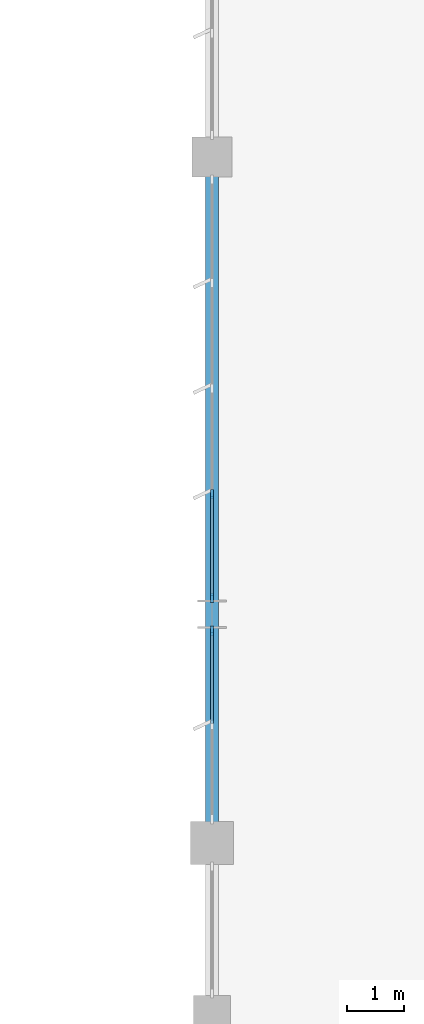
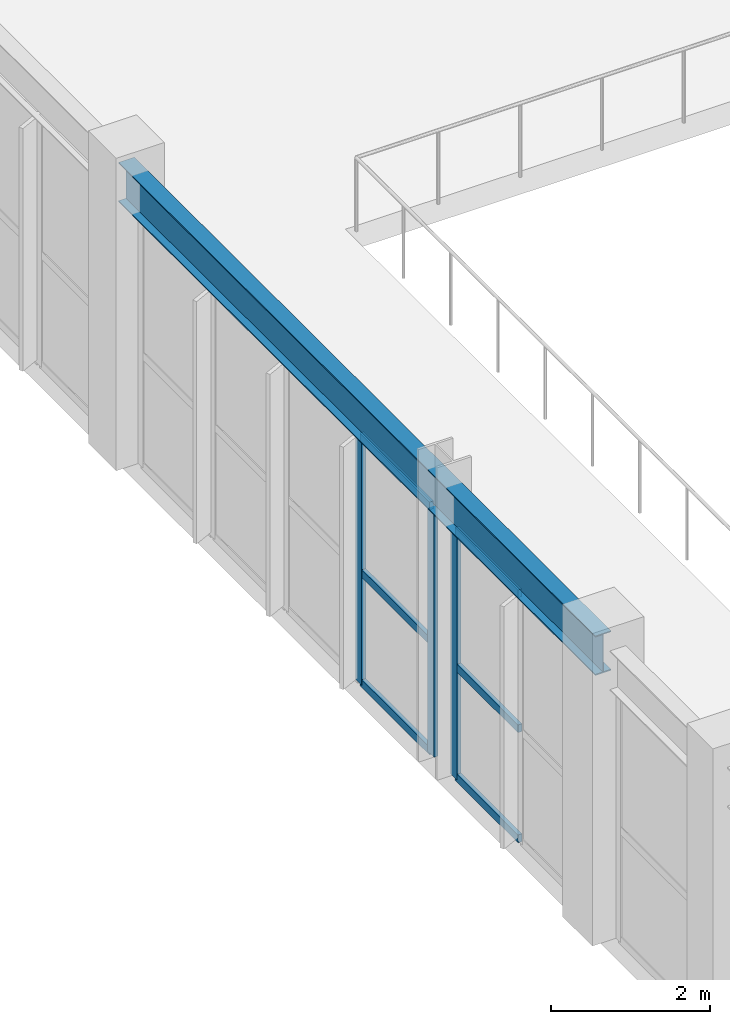
# One storey, part 86 of 226: 9 members, 1 beam, 2 elements without a shape of their own.
"""IFC4 building model written with IfcOpenShell, lengths in metres."""

from ifc_helpers import new_model, si_unit, direction, frame, origin, origin_2d, place, context, subcontext, project, spatial, rectangle, i_section, extrude, material, layer, layer_set, material_profile, profile_set, type_object, element, aggregate, save


model = new_model("IFC4")

# Units and contexts
model_context = context("Model", 3, precision=1e-05, world=origin(), true_north=direction((0.0, 1.0)))
body_context = subcontext(model_context, "Body", "Model", "MODEL_VIEW")
ifc_project = project(units=[si_unit("LENGTHUNIT", "METRE"), si_unit("AREAUNIT", "SQUARE_METRE"), si_unit("VOLUMEUNIT", "CUBIC_METRE"), si_unit("PLANEANGLEUNIT", "RADIAN"), si_unit("MASSUNIT", "GRAM", prefix="KILO")], contexts=[model_context])

# Site, building, storey
site_placement = place(None, origin())
site = spatial("IfcSite", under=ifc_project, at=site_placement, CompositionType="ELEMENT")
building_placement = place(site_placement, origin())
building = spatial("IfcBuilding", under=site, at=building_placement, Name="Tarnwether General Hospital", CompositionType="ELEMENT")
storey_placement = place(building_placement, frame((0.0, 0.0, 4.800048828125)))
storey = spatial("IfcBuildingStorey", under=building, at=storey_placement, Name="L01", CompositionType="ELEMENT", Elevation=4.800048828125)

# Beam
ifc_material_1 = material(Name="Steel Grade 350 (350 MPa)", Category="steel")
ifc_material_profile_1 = material_profile(ifc_material_1, i_section(OverallWidth=0.22802734375, OverallDepth=0.60693359375, WebThickness=0.01123046875, FlangeThickness=0.017333984375, at=origin_2d()), Name="610UB113")
ifc_profile_set_1 = profile_set([ifc_material_profile_1], Name="Steel Grade 350 (350 MPa)")
beam_type = type_object("IfcBeamType", Name="BM-G04", PredefinedType="BEAM", material=ifc_profile_set_1)
beam_placement = place(storey_placement, frame((108.0, 57.60009765625, 4.141357421875), z_axis=(0.0, 1.0, 0.0), x_axis=(-1.0, 0.0, 0.0)))
element("IfcBeam", 1, at=beam_placement, inside=storey, type_object=beam_type, Name="Primary Girder BMG-L01-10800_5760-10800_6960-1177", PredefinedType="BEAM", context=body_context, shape_type="SweptSolid", body=[
    extrude(i_section(OverallWidth=0.22802734375, OverallDepth=0.60693359375, WebThickness=0.01123046875, FlangeThickness=0.017333984375, at=origin_2d()), origin(), (0.0, 0.0, 1.0), 12.0),
])

# Curtain wall, member
ifc_material_2 = material(Name="Anodised aluminium", Category="aluminium")
ifc_layer = layer(ifc_material_2, 0.179931640625)
ifc_layer_set = layer_set([ifc_layer], Name="Anodised aluminium")
curtain_wall_type = type_object("IfcCurtainWallType", Name="CW-07", PredefinedType="NOTDEFINED", material=ifc_layer_set)
curtain_wall_1_placement = place(storey_placement, origin())
curtain_wall_1 = element("IfcCurtainWall", 2, at=curtain_wall_1_placement, inside=storey, type_object=curtain_wall_type, Name="Curtain Wall CWG-L01-1080_580-0357", PredefinedType="NOTDEFINED")
ifc_material_3 = material(Name="Anodised aluminium", Category="aluminium")
ifc_material_profile_2 = material_profile(ifc_material_3, rectangle(XDim=0.06005859375, YDim=0.159912109375, at=origin_2d()), Name="ALU-MUL-60x160")
ifc_profile_set_2 = profile_set([ifc_material_profile_2], Name="Anodised aluminium")
member_type_1 = type_object("IfcMemberType", Name="CW-ML1", PredefinedType="MULLION", material=ifc_profile_set_2)
member_1_placement = place(storey_placement, frame((108.0, 61.31201171875, 0.0), z_axis=(0.0, 0.0, 1.0), x_axis=(-1.0, 0.0, 0.0)))
member_1 = element("IfcMember", 3, at=member_1_placement, type_object=member_type_1, Name="CW-07 mullion 3", PredefinedType="MULLION", context=body_context, shape_type="SweptSolid", body=[
    extrude(rectangle(XDim=0.06005859375, YDim=0.159912109375, at=origin_2d()), origin(), (0.0, 0.0, 1.0), 3.822998046875),
])

# Curtain wall, members
curtain_wall_2_placement = place(storey_placement, origin())
curtain_wall_2 = element("IfcCurtainWall", 4, at=curtain_wall_2_placement, inside=storey, type_object=curtain_wall_type, Name="Curtain Wall CWG-L01-1080_619-0358", PredefinedType="NOTDEFINED")
member_2_placement = place(storey_placement, frame((108.0, 61.887939453125, 0.0), z_axis=(0.0, 0.0, 1.0), x_axis=(-1.0, 0.0, 0.0)))
member_2 = element("IfcMember", 5, at=member_2_placement, type_object=member_type_1, Name="CW-07 mullion 1", PredefinedType="MULLION", context=body_context, shape_type="SweptSolid", body=[
    extrude(rectangle(XDim=0.06005859375, YDim=0.159912109375, at=origin_2d()), origin(), (0.0, 0.0, 1.0), 3.822998046875),
])
member_3_placement = place(storey_placement, frame((108.0, 63.7041015625, 0.0), z_axis=(0.0, 0.0, 1.0), x_axis=(-1.0, 0.0, 0.0)))
member_3 = element("IfcMember", 6, at=member_3_placement, type_object=member_type_1, Name="CW-07 mullion 2", PredefinedType="MULLION", context=body_context, shape_type="SweptSolid", body=[
    extrude(rectangle(XDim=0.06005859375, YDim=0.159912109375, at=origin_2d()), origin(), (0.0, 0.0, 1.0), 3.822998046875),
])

# Member
ifc_material_4 = material(Name="Anodised aluminium", Category="aluminium")
ifc_material_profile_3 = material_profile(ifc_material_4, rectangle(XDim=0.06005859375, YDim=0.1201171875, at=origin_2d()), Name="ALU-TRN-60x120")
ifc_profile_set_3 = profile_set([ifc_material_profile_3], Name="Anodised aluminium")
member_type_2 = type_object("IfcMemberType", Name="CW-TR1", PredefinedType="USERDEFINED", material=ifc_profile_set_3)
member_4_placement = place(storey_placement, frame((108.0, 59.6923828125, 0.030029296875), z_axis=(0.0, 1.0, 0.0), x_axis=(-1.0, 0.0, 0.0)))
member_4 = element("IfcMember", 7, at=member_4_placement, type_object=member_type_2, Name="CW-07 transom 2.1", ObjectType="TRANSOM", PredefinedType="USERDEFINED", context=body_context, shape_type="SweptSolid", body=[
    extrude(rectangle(XDim=0.06005859375, YDim=0.1201171875, at=origin_2d()), origin(), (0.0, 0.0, 1.0), 1.589599609375),
])

member_5_placement = place(storey_placement, frame((108.0, 59.6923828125, 1.72021484375), z_axis=(0.0, 1.0, 0.0), x_axis=(-1.0, 0.0, 0.0)))
member_5 = element("IfcMember", 8, at=member_5_placement, type_object=member_type_2, Name="CW-07 transom 2.2", ObjectType="TRANSOM", PredefinedType="USERDEFINED", context=body_context, shape_type="SweptSolid", body=[
    extrude(rectangle(XDim=0.06005859375, YDim=0.1201171875, at=origin_2d()), origin(), (0.0, 0.0, 1.0), 1.589599609375),
])

member_6_placement = place(storey_placement, frame((108.0, 59.6923828125, 3.79296875), z_axis=(0.0, 1.0, 0.0), x_axis=(-1.0, 0.0, 0.0)))
member_6 = element("IfcMember", 9, at=member_6_placement, type_object=member_type_2, Name="CW-07 transom 2.3", ObjectType="TRANSOM", PredefinedType="USERDEFINED", context=body_context, shape_type="SweptSolid", body=[
    extrude(rectangle(XDim=0.06005859375, YDim=0.1201171875, at=origin_2d()), origin(), (0.0, 0.0, 1.0), 1.589599609375),
])

aggregate(curtain_wall_1, [member_1, member_4, member_5, member_6])

member_7_placement = place(storey_placement, frame((108.0, 61.91796875, 0.030029296875), z_axis=(0.0, 1.0, 0.0), x_axis=(-1.0, 0.0, 0.0)))
member_7 = element("IfcMember", 10, at=member_7_placement, type_object=member_type_2, Name="CW-07 transom 1.1", ObjectType="TRANSOM", PredefinedType="USERDEFINED", context=body_context, shape_type="SweptSolid", body=[
    extrude(rectangle(XDim=0.06005859375, YDim=0.1201171875, at=origin_2d()), origin(), (0.0, 0.0, 1.0), 1.756103515625),
])

member_8_placement = place(storey_placement, frame((108.0, 61.91796875, 1.72021484375), z_axis=(0.0, 1.0, 0.0), x_axis=(-1.0, 0.0, 0.0)))
member_8 = element("IfcMember", 11, at=member_8_placement, type_object=member_type_2, Name="CW-07 transom 1.2", ObjectType="TRANSOM", PredefinedType="USERDEFINED", context=body_context, shape_type="SweptSolid", body=[
    extrude(rectangle(XDim=0.06005859375, YDim=0.1201171875, at=origin_2d()), origin(), (0.0, 0.0, 1.0), 1.756103515625),
])

member_9_placement = place(storey_placement, frame((108.0, 61.91796875, 3.79296875), z_axis=(0.0, 1.0, 0.0), x_axis=(-1.0, 0.0, 0.0)))
member_9 = element("IfcMember", 12, at=member_9_placement, type_object=member_type_2, Name="CW-07 transom 1.3", ObjectType="TRANSOM", PredefinedType="USERDEFINED", context=body_context, shape_type="SweptSolid", body=[
    extrude(rectangle(XDim=0.06005859375, YDim=0.1201171875, at=origin_2d()), origin(), (0.0, 0.0, 1.0), 1.756103515625),
])

aggregate(curtain_wall_2, [member_2, member_3, member_7, member_8, member_9])

save(model, "model.ifc")
